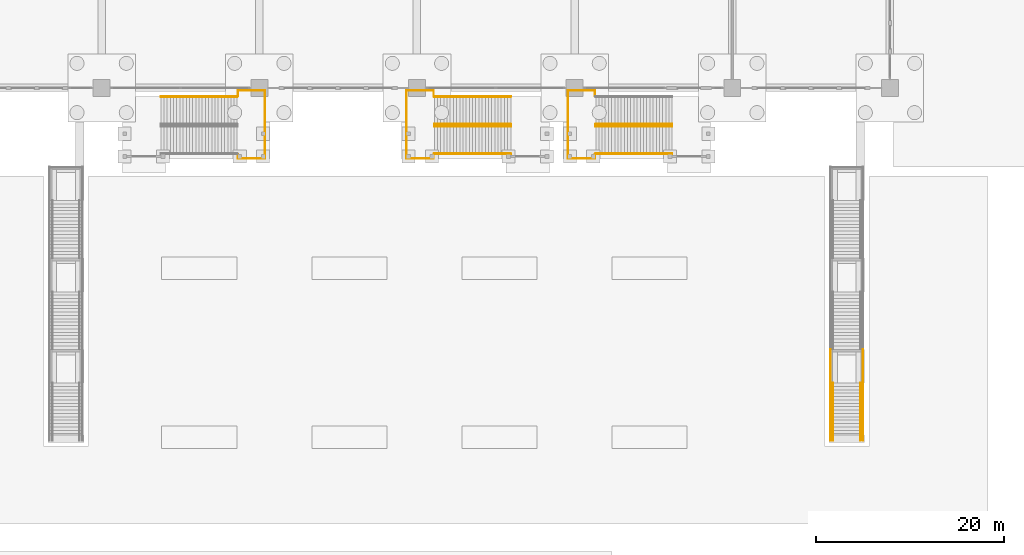
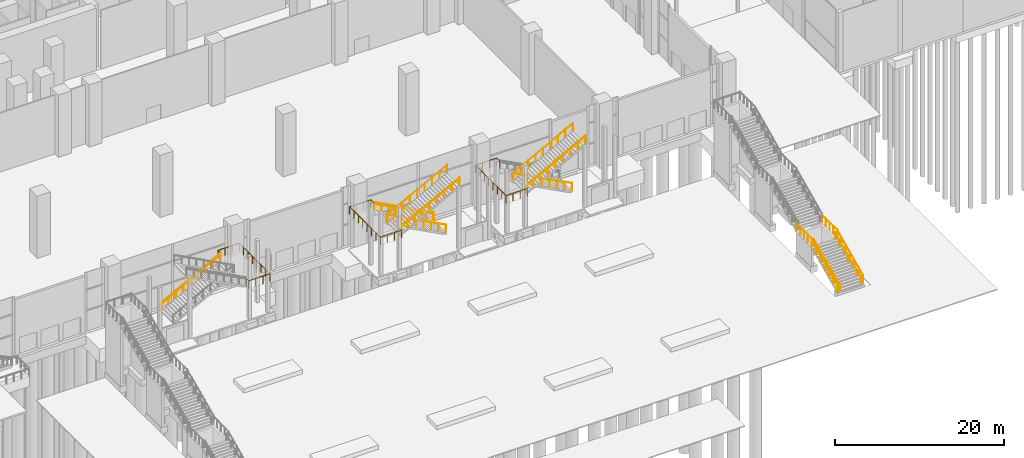
# One storey, part 57 of 72: 21 railings.
"""IFC4 building model written with IfcOpenShell, lengths in metres."""

from ifc_helpers import new_model, si_unit, direction, frame, origin, origin_2d, place, context, subcontext, project, spatial, circle, extrude, material, type_object, element, save


model = new_model("IFC4")

# Units and contexts
model_context = context("Model", 3, precision=1e-05, world=origin(), true_north=direction((0.0, 1.0)))
body_context = subcontext(model_context, "Body", "Model", "MODEL_VIEW")
ifc_project = project(units=[si_unit("LENGTHUNIT", "METRE"), si_unit("AREAUNIT", "SQUARE_METRE"), si_unit("VOLUMEUNIT", "CUBIC_METRE"), si_unit("PLANEANGLEUNIT", "RADIAN"), si_unit("MASSUNIT", "GRAM", prefix="KILO")], contexts=[model_context])

# Site, building, storey
site_placement = place(None, origin())
site = spatial("IfcSite", under=ifc_project, at=site_placement, CompositionType="ELEMENT")
building_placement = place(site_placement, origin())
building = spatial("IfcBuilding", under=site, at=building_placement, Name="Candeia Pilgrim Tower and Theatre", CompositionType="ELEMENT")
storey_placement = place(building_placement, origin())
storey = spatial("IfcBuildingStorey", under=building, at=storey_placement, Name="L00", CompositionType="ELEMENT", Elevation=0.0)

# Railings
ifc_material_1 = material(Name="Steel S355", Category="steel")
railing_type_1 = type_object("IfcRailingType", Name="Guard 1100 steel balustrade", PredefinedType="GUARDRAIL", material=ifc_material_1)
for number, where, name in (
    (1, (153.25, 26.840087890625, 0.166748046875), "Garden stair E guard 1"),
    (2, (156.75, 26.840087890625, 0.166748046875), "Garden stair E guard 2"),
):
    element("IfcRailing", number, at=place(storey_placement, frame(where)), inside=storey, type_object=railing_type_1, Name=name, PredefinedType="GUARDRAIL", context=body_context, shape_type="SweptSolid", body=[
        extrude(circle(Radius=0.02392578125, at=origin_2d()), frame((0.0, 0.0, 1.076171875), z_axis=(0.0, 0.907468185063, 0.420120807742), x_axis=(-1.0, 0.0, 0.0)), (0.0, 0.0, 1.0), 6.743896484375),
        extrude(circle(Radius=0.02099609375, at=origin_2d()), origin(), (0.0, 0.0, 1.0), 1.052001953125),
        extrude(circle(Radius=0.02099609375, at=origin_2d()), frame((0.0, 1.02001953125, 0.47216796875)), (0.0, 0.0, 1.0), 1.052001953125),
        extrude(circle(Radius=0.02099609375, at=origin_2d()), frame((0.0, 2.0400390625, 0.9443359375)), (0.0, 0.0, 1.0), 1.052001953125),
        extrude(circle(Radius=0.02099609375, at=origin_2d()), frame((0.0, 3.06005859375, 1.41650390625)), (0.0, 0.0, 1.0), 1.052001953125),
        extrude(circle(Radius=0.02099609375, at=origin_2d()), frame((0.0, 4.079833984375, 1.888916015625)), (0.0, 0.0, 1.0), 1.052001953125),
        extrude(circle(Radius=0.02099609375, at=origin_2d()), frame((0.0, 5.099853515625, 2.361083984375)), (0.0, 0.0, 1.0), 1.052001953125),
        extrude(circle(Radius=0.02099609375, at=origin_2d()), frame((0.0, 6.119873046875, 2.833251953125)), (0.0, 0.0, 1.0), 1.052001953125),
    ])
for number, where, name in (
    (3, (153.25, 32.9599609375, 3.0), "Garden stair E guard 3"),
    (4, (156.75, 32.9599609375, 3.0), "Garden stair E guard 4"),
):
    element("IfcRailing", number, at=place(storey_placement, frame(where)), inside=storey, type_object=railing_type_1, Name=name, PredefinedType="GUARDRAIL", context=body_context, shape_type="SweptSolid", body=[
        extrude(circle(Radius=0.02392578125, at=origin_2d()), frame((0.0, 0.0, 1.076171875), z_axis=(0.0, 1.0, 0.0), x_axis=(-1.0, 0.0, 0.0)), (0.0, 0.0, 1.0), 3.60009765625),
        extrude(circle(Radius=0.02099609375, at=origin_2d()), origin(), (0.0, 0.0, 1.0), 1.052001953125),
        extrude(circle(Radius=0.02099609375, at=origin_2d()), frame((0.0, 0.89990234375, 0.0)), (0.0, 0.0, 1.0), 1.052001953125),
        extrude(circle(Radius=0.02099609375, at=origin_2d()), frame((0.0, 1.800048828125, 0.0)), (0.0, 0.0, 1.0), 1.052001953125),
        extrude(circle(Radius=0.02099609375, at=origin_2d()), frame((0.0, 2.7001953125, 0.0)), (0.0, 0.0, 1.0), 1.052001953125),
        extrude(circle(Radius=0.02099609375, at=origin_2d()), frame((0.0, 3.60009765625, 0.0)), (0.0, 0.0, 1.0), 1.052001953125),
    ])
railing_type_2 = type_object("IfcRailingType", Name="Handrail 900 steel", PredefinedType="HANDRAIL", material=ifc_material_1)
for number, where, name in (
    (5, (153.550048828125, 26.840087890625, 0.166748046875), "Garden stair E handrail 1"),
    (6, (156.449951171875, 26.840087890625, 0.166748046875), "Garden stair E handrail 2"),
):
    element("IfcRailing", number, at=place(storey_placement, frame(where)), inside=storey, type_object=railing_type_2, Name=name, PredefinedType="HANDRAIL", context=body_context, shape_type="SweptSolid", body=[
        extrude(circle(Radius=0.02392578125, at=origin_2d()), frame((0.0, 0.0, 0.8759765625), z_axis=(0.0, 0.907468185063, 0.420120807742), x_axis=(-1.0, 0.0, 0.0)), (0.0, 0.0, 1.0), 6.743896484375),
        extrude(circle(Radius=0.02099609375, at=origin_2d()), origin(), (0.0, 0.0, 1.0), 0.851806640625),
        extrude(circle(Radius=0.02099609375, at=origin_2d()), frame((0.0, 1.02001953125, 0.47216796875)), (0.0, 0.0, 1.0), 0.851806640625),
        extrude(circle(Radius=0.02099609375, at=origin_2d()), frame((0.0, 2.0400390625, 0.9443359375)), (0.0, 0.0, 1.0), 0.851806640625),
        extrude(circle(Radius=0.02099609375, at=origin_2d()), frame((0.0, 3.06005859375, 1.41650390625)), (0.0, 0.0, 1.0), 0.851806640625),
        extrude(circle(Radius=0.02099609375, at=origin_2d()), frame((0.0, 4.079833984375, 1.888916015625)), (0.0, 0.0, 1.0), 0.851806640625),
        extrude(circle(Radius=0.02099609375, at=origin_2d()), frame((0.0, 5.099853515625, 2.361083984375)), (0.0, 0.0, 1.0), 0.851806640625),
        extrude(circle(Radius=0.02099609375, at=origin_2d()), frame((0.0, 6.119873046875, 2.833251953125)), (0.0, 0.0, 1.0), 0.851806640625),
    ])
ifc_material_2 = material(Name="Stainless steel balustrade", Category="steel")
railing_type_3 = type_object("IfcRailingType", Name="RL-GUARD-1100", PredefinedType="GUARDRAIL", material=ifc_material_2)
railing_1_placement = place(storey_placement, frame((81.89990234375, 63.5, 0.179931640625)))
element("IfcRailing", 7, at=railing_1_placement, inside=storey, type_object=railing_type_3, Name="L00 ES8 stair guard 3", PredefinedType="GUARDRAIL", context=body_context, shape_type="SweptSolid", body=[
    extrude(circle(Radius=0.02392578125, at=origin_2d()), frame((0.0, 0.0, 1.076171875), z_axis=(0.883788559524, 0.0, 0.467886505528), x_axis=(0.0, 1.0, 0.0)), (0.0, 0.0, 1.0), 9.233154296875),
    extrude(circle(Radius=0.02099609375, at=origin_2d()), origin(), (0.0, 0.0, 1.0), 1.052001953125),
    extrude(circle(Radius=0.02099609375, at=origin_2d()), frame((1.02001953125, 0.0, 0.5400390625)), (0.0, 0.0, 1.0), 1.052001953125),
    extrude(circle(Radius=0.02099609375, at=origin_2d()), frame((2.0400390625, 0.0, 1.080078125)), (0.0, 0.0, 1.0), 1.052001953125),
    extrude(circle(Radius=0.02099609375, at=origin_2d()), frame((3.06005859375, 0.0, 1.6201171875)), (0.0, 0.0, 1.0), 1.052001953125),
    extrude(circle(Radius=0.02099609375, at=origin_2d()), frame((4.080078125, 0.0, 2.16015625)), (0.0, 0.0, 1.0), 1.052001953125),
    extrude(circle(Radius=0.02099609375, at=origin_2d()), frame((5.10009765625, 0.0, 2.699951171875)), (0.0, 0.0, 1.0), 1.052001953125),
    extrude(circle(Radius=0.02099609375, at=origin_2d()), frame((6.1201171875, 0.0, 3.239990234375)), (0.0, 0.0, 1.0), 1.052001953125),
    extrude(circle(Radius=0.02099609375, at=origin_2d()), frame((7.14013671875, 0.0, 3.780029296875)), (0.0, 0.0, 1.0), 1.052001953125),
    extrude(circle(Radius=0.02099609375, at=origin_2d()), frame((8.16015625, 0.0, 4.320068359375)), (0.0, 0.0, 1.0), 1.052001953125),
])
railing_2_placement = place(storey_placement, frame((90.110107421875, 63.5, 4.5)))
element("IfcRailing", 8, at=railing_2_placement, inside=storey, type_object=railing_type_3, Name="L00 ES8 stair guard 5", PredefinedType="GUARDRAIL", context=body_context, shape_type="SweptSolid", body=[
    extrude(circle(Radius=0.02392578125, at=origin_2d()), frame((0.0, 0.0, 1.076171875), z_axis=(0.0, 1.0, 0.0), x_axis=(-1.0, 0.0, 0.0)), (0.0, 0.0, 1.0), 0.64990234375),
    extrude(circle(Radius=0.02392578125, at=origin_2d()), frame((0.0, 0.64990234375, 1.076171875), z_axis=(1.0, 0.0, 0.0), x_axis=(0.0, 1.0, 0.0)), (0.0, 0.0, 1.0), 2.89990234375),
    extrude(circle(Radius=0.02392578125, at=origin_2d()), frame((2.89990234375, 0.64990234375, 1.076171875), z_axis=(0.0, -1.0, 0.0), x_axis=(1.0, 0.0, 0.0)), (0.0, 0.0, 1.0), 7.25),
    extrude(circle(Radius=0.02392578125, at=origin_2d()), frame((2.89990234375, -6.60009765625, 1.076171875), z_axis=(-1.0, 0.0, 0.0), x_axis=(0.0, -1.0, 0.0)), (0.0, 0.0, 1.0), 2.89990234375),
    extrude(circle(Radius=0.02392578125, at=origin_2d()), frame((0.0, -6.60009765625, 1.076171875), z_axis=(0.0, 1.0, 0.0), x_axis=(-1.0, 0.0, 0.0)), (0.0, 0.0, 1.0), 0.4501953125),
    extrude(circle(Radius=0.02099609375, at=origin_2d()), origin(), (0.0, 0.0, 1.0), 1.052001953125),
    extrude(circle(Radius=0.02099609375, at=origin_2d()), frame((0.0, 0.64990234375, 0.0)), (0.0, 0.0, 1.0), 1.052001953125),
    extrude(circle(Radius=0.02099609375, at=origin_2d()), frame((0.966552734375, 0.64990234375, 0.0)), (0.0, 0.0, 1.0), 1.052001953125),
    extrude(circle(Radius=0.02099609375, at=origin_2d()), frame((1.933349609375, 0.64990234375, 0.0)), (0.0, 0.0, 1.0), 1.052001953125),
    extrude(circle(Radius=0.02099609375, at=origin_2d()), frame((2.89990234375, 0.64990234375, 0.0)), (0.0, 0.0, 1.0), 1.052001953125),
    extrude(circle(Radius=0.02099609375, at=origin_2d()), frame((2.89990234375, -0.3857421875, 0.0)), (0.0, 0.0, 1.0), 1.052001953125),
    extrude(circle(Radius=0.02099609375, at=origin_2d()), frame((2.89990234375, -1.421630859375, 0.0)), (0.0, 0.0, 1.0), 1.052001953125),
    extrude(circle(Radius=0.02099609375, at=origin_2d()), frame((2.89990234375, -2.457275390625, 0.0)), (0.0, 0.0, 1.0), 1.052001953125),
    extrude(circle(Radius=0.02099609375, at=origin_2d()), frame((2.89990234375, -3.492919921875, 0.0)), (0.0, 0.0, 1.0), 1.052001953125),
    extrude(circle(Radius=0.02099609375, at=origin_2d()), frame((2.89990234375, -4.528564453125, 0.0)), (0.0, 0.0, 1.0), 1.052001953125),
    extrude(circle(Radius=0.02099609375, at=origin_2d()), frame((2.89990234375, -5.564453125, 0.0)), (0.0, 0.0, 1.0), 1.052001953125),
    extrude(circle(Radius=0.02099609375, at=origin_2d()), frame((2.89990234375, -6.60009765625, 0.0)), (0.0, 0.0, 1.0), 1.052001953125),
    extrude(circle(Radius=0.02099609375, at=origin_2d()), frame((1.933349609375, -6.60009765625, 0.0)), (0.0, 0.0, 1.0), 1.052001953125),
    extrude(circle(Radius=0.02099609375, at=origin_2d()), frame((0.966552734375, -6.60009765625, 0.0)), (0.0, 0.0, 1.0), 1.052001953125),
    extrude(circle(Radius=0.02099609375, at=origin_2d()), frame((0.0, -6.60009765625, 0.0)), (0.0, 0.0, 1.0), 1.052001953125),
    extrude(circle(Radius=0.02099609375, at=origin_2d()), frame((0.0, -6.14990234375, 0.0)), (0.0, 0.0, 1.0), 1.052001953125),
])
railing_3_placement = place(storey_placement, frame((119.199951171875, 60.550048828125, 0.179931640625)))
element("IfcRailing", 9, at=railing_3_placement, inside=storey, type_object=railing_type_3, Name="L00 ES9 stair guard 1", PredefinedType="GUARDRAIL", context=body_context, shape_type="SweptSolid", body=[
    extrude(circle(Radius=0.02392578125, at=origin_2d()), frame((0.0, 0.0, 1.076171875), z_axis=(-0.883782770755, 0.0, 0.467897439742), x_axis=(0.0, -1.0, 0.0)), (0.0, 0.0, 1.0), 9.23291015625),
    extrude(circle(Radius=0.02099609375, at=origin_2d()), origin(), (0.0, 0.0, 1.0), 1.052001953125),
    extrude(circle(Radius=0.02099609375, at=origin_2d()), frame((-1.02001953125, 0.0, 0.5400390625)), (0.0, 0.0, 1.0), 1.052001953125),
    extrude(circle(Radius=0.02099609375, at=origin_2d()), frame((-2.0400390625, 0.0, 1.080078125)), (0.0, 0.0, 1.0), 1.052001953125),
    extrude(circle(Radius=0.02099609375, at=origin_2d()), frame((-3.06005859375, 0.0, 1.6201171875)), (0.0, 0.0, 1.0), 1.052001953125),
    extrude(circle(Radius=0.02099609375, at=origin_2d()), frame((-4.080078125, 0.0, 2.16015625)), (0.0, 0.0, 1.0), 1.052001953125),
    extrude(circle(Radius=0.02099609375, at=origin_2d()), frame((-5.099853515625, 0.0, 2.699951171875)), (0.0, 0.0, 1.0), 1.052001953125),
    extrude(circle(Radius=0.02099609375, at=origin_2d()), frame((-6.119873046875, 0.0, 3.239990234375)), (0.0, 0.0, 1.0), 1.052001953125),
    extrude(circle(Radius=0.02099609375, at=origin_2d()), frame((-7.139892578125, 0.0, 3.780029296875)), (0.0, 0.0, 1.0), 1.052001953125),
    extrude(circle(Radius=0.02099609375, at=origin_2d()), frame((-8.159912109375, 0.0, 4.320068359375)), (0.0, 0.0, 1.0), 1.052001953125),
])
railing_4_placement = place(storey_placement, frame((111.0400390625, 60.300048828125, 4.679931640625)))
element("IfcRailing", 10, at=railing_4_placement, inside=storey, type_object=railing_type_3, Name="L00 ES9 stair guard 2", PredefinedType="GUARDRAIL", context=body_context, shape_type="SweptSolid", body=[
    extrude(circle(Radius=0.02392578125, at=origin_2d()), frame((0.0, 0.0, 1.076171875), z_axis=(0.883782770755, 0.0, 0.467897439742), x_axis=(0.0, 1.0, 0.0)), (0.0, 0.0, 1.0), 9.23291015625),
    extrude(circle(Radius=0.02099609375, at=origin_2d()), origin(), (0.0, 0.0, 1.0), 1.052001953125),
    extrude(circle(Radius=0.02099609375, at=origin_2d()), frame((1.02001953125, 0.0, 0.5400390625)), (0.0, 0.0, 1.0), 1.052001953125),
    extrude(circle(Radius=0.02099609375, at=origin_2d()), frame((2.0400390625, 0.0, 1.080078125)), (0.0, 0.0, 1.0), 1.052001953125),
    extrude(circle(Radius=0.02099609375, at=origin_2d()), frame((3.06005859375, 0.0, 1.6201171875)), (0.0, 0.0, 1.0), 1.052001953125),
    extrude(circle(Radius=0.02099609375, at=origin_2d()), frame((4.080078125, 0.0, 2.16015625)), (0.0, 0.0, 1.0), 1.052001953125),
    extrude(circle(Radius=0.02099609375, at=origin_2d()), frame((5.099853515625, 0.0, 2.699951171875)), (0.0, 0.0, 1.0), 1.052001953125),
    extrude(circle(Radius=0.02099609375, at=origin_2d()), frame((6.119873046875, 0.0, 3.239990234375)), (0.0, 0.0, 1.0), 1.052001953125),
    extrude(circle(Radius=0.02099609375, at=origin_2d()), frame((7.139892578125, 0.0, 3.780029296875)), (0.0, 0.0, 1.0), 1.052001953125),
    extrude(circle(Radius=0.02099609375, at=origin_2d()), frame((8.159912109375, 0.0, 4.320068359375)), (0.0, 0.0, 1.0), 1.052001953125),
])
railing_5_placement = place(storey_placement, frame((119.199951171875, 63.5, 0.179931640625)))
element("IfcRailing", 11, at=railing_5_placement, inside=storey, type_object=railing_type_3, Name="L00 ES9 stair guard 3", PredefinedType="GUARDRAIL", context=body_context, shape_type="SweptSolid", body=[
    extrude(circle(Radius=0.02392578125, at=origin_2d()), frame((0.0, 0.0, 1.076171875), z_axis=(-0.883782770755, 0.0, 0.467897439742), x_axis=(0.0, -1.0, 0.0)), (0.0, 0.0, 1.0), 9.23291015625),
    extrude(circle(Radius=0.02099609375, at=origin_2d()), origin(), (0.0, 0.0, 1.0), 1.052001953125),
    extrude(circle(Radius=0.02099609375, at=origin_2d()), frame((-1.02001953125, 0.0, 0.5400390625)), (0.0, 0.0, 1.0), 1.052001953125),
    extrude(circle(Radius=0.02099609375, at=origin_2d()), frame((-2.0400390625, 0.0, 1.080078125)), (0.0, 0.0, 1.0), 1.052001953125),
    extrude(circle(Radius=0.02099609375, at=origin_2d()), frame((-3.06005859375, 0.0, 1.6201171875)), (0.0, 0.0, 1.0), 1.052001953125),
    extrude(circle(Radius=0.02099609375, at=origin_2d()), frame((-4.080078125, 0.0, 2.16015625)), (0.0, 0.0, 1.0), 1.052001953125),
    extrude(circle(Radius=0.02099609375, at=origin_2d()), frame((-5.099853515625, 0.0, 2.699951171875)), (0.0, 0.0, 1.0), 1.052001953125),
    extrude(circle(Radius=0.02099609375, at=origin_2d()), frame((-6.119873046875, 0.0, 3.239990234375)), (0.0, 0.0, 1.0), 1.052001953125),
    extrude(circle(Radius=0.02099609375, at=origin_2d()), frame((-7.139892578125, 0.0, 3.780029296875)), (0.0, 0.0, 1.0), 1.052001953125),
    extrude(circle(Radius=0.02099609375, at=origin_2d()), frame((-8.159912109375, 0.0, 4.320068359375)), (0.0, 0.0, 1.0), 1.052001953125),
])
railing_6_placement = place(storey_placement, frame((111.0400390625, 57.35009765625, 4.679931640625)))
element("IfcRailing", 12, at=railing_6_placement, inside=storey, type_object=railing_type_3, Name="L00 ES9 stair guard 4", PredefinedType="GUARDRAIL", context=body_context, shape_type="SweptSolid", body=[
    extrude(circle(Radius=0.02392578125, at=origin_2d()), frame((0.0, 0.0, 1.076171875), z_axis=(0.883782770755, 0.0, 0.467897439742), x_axis=(0.0, 1.0, 0.0)), (0.0, 0.0, 1.0), 9.23291015625),
    extrude(circle(Radius=0.02099609375, at=origin_2d()), origin(), (0.0, 0.0, 1.0), 1.052001953125),
    extrude(circle(Radius=0.02099609375, at=origin_2d()), frame((1.02001953125, 0.0, 0.5400390625)), (0.0, 0.0, 1.0), 1.052001953125),
    extrude(circle(Radius=0.02099609375, at=origin_2d()), frame((2.0400390625, 0.0, 1.080078125)), (0.0, 0.0, 1.0), 1.052001953125),
    extrude(circle(Radius=0.02099609375, at=origin_2d()), frame((3.06005859375, 0.0, 1.6201171875)), (0.0, 0.0, 1.0), 1.052001953125),
    extrude(circle(Radius=0.02099609375, at=origin_2d()), frame((4.080078125, 0.0, 2.16015625)), (0.0, 0.0, 1.0), 1.052001953125),
    extrude(circle(Radius=0.02099609375, at=origin_2d()), frame((5.099853515625, 0.0, 2.699951171875)), (0.0, 0.0, 1.0), 1.052001953125),
    extrude(circle(Radius=0.02099609375, at=origin_2d()), frame((6.119873046875, 0.0, 3.239990234375)), (0.0, 0.0, 1.0), 1.052001953125),
    extrude(circle(Radius=0.02099609375, at=origin_2d()), frame((7.139892578125, 0.0, 3.780029296875)), (0.0, 0.0, 1.0), 1.052001953125),
    extrude(circle(Radius=0.02099609375, at=origin_2d()), frame((8.159912109375, 0.0, 4.320068359375)), (0.0, 0.0, 1.0), 1.052001953125),
])
railing_7_placement = place(storey_placement, frame((110.989990234375, 63.5, 4.5)))
element("IfcRailing", 13, at=railing_7_placement, inside=storey, type_object=railing_type_3, Name="L00 ES9 stair guard 5", PredefinedType="GUARDRAIL", context=body_context, shape_type="SweptSolid", body=[
    extrude(circle(Radius=0.02392578125, at=origin_2d()), frame((0.0, 0.0, 1.076171875), z_axis=(0.0, 1.0, 0.0), x_axis=(-1.0, 0.0, 0.0)), (0.0, 0.0, 1.0), 0.64990234375),
    extrude(circle(Radius=0.02392578125, at=origin_2d()), frame((0.0, 0.64990234375, 1.076171875), z_axis=(-1.0, 0.0, 0.0), x_axis=(0.0, -1.0, 0.0)), (0.0, 0.0, 1.0), 2.89990234375),
    extrude(circle(Radius=0.02392578125, at=origin_2d()), frame((-2.89990234375, 0.64990234375, 1.076171875), z_axis=(0.0, -1.0, 0.0), x_axis=(1.0, 0.0, 0.0)), (0.0, 0.0, 1.0), 7.25),
    extrude(circle(Radius=0.02392578125, at=origin_2d()), frame((-2.89990234375, -6.60009765625, 1.076171875), z_axis=(1.0, 0.0, 0.0), x_axis=(0.0, 1.0, 0.0)), (0.0, 0.0, 1.0), 2.89990234375),
    extrude(circle(Radius=0.02392578125, at=origin_2d()), frame((0.0, -6.60009765625, 1.076171875), z_axis=(0.0, 1.0, 0.0), x_axis=(-1.0, 0.0, 0.0)), (0.0, 0.0, 1.0), 0.4501953125),
    extrude(circle(Radius=0.02099609375, at=origin_2d()), origin(), (0.0, 0.0, 1.0), 1.052001953125),
    extrude(circle(Radius=0.02099609375, at=origin_2d()), frame((0.0, 0.64990234375, 0.0)), (0.0, 0.0, 1.0), 1.052001953125),
    extrude(circle(Radius=0.02099609375, at=origin_2d()), frame((-0.966552734375, 0.64990234375, 0.0)), (0.0, 0.0, 1.0), 1.052001953125),
    extrude(circle(Radius=0.02099609375, at=origin_2d()), frame((-1.933349609375, 0.64990234375, 0.0)), (0.0, 0.0, 1.0), 1.052001953125),
    extrude(circle(Radius=0.02099609375, at=origin_2d()), frame((-2.89990234375, 0.64990234375, 0.0)), (0.0, 0.0, 1.0), 1.052001953125),
    extrude(circle(Radius=0.02099609375, at=origin_2d()), frame((-2.89990234375, -0.3857421875, 0.0)), (0.0, 0.0, 1.0), 1.052001953125),
    extrude(circle(Radius=0.02099609375, at=origin_2d()), frame((-2.89990234375, -1.421630859375, 0.0)), (0.0, 0.0, 1.0), 1.052001953125),
    extrude(circle(Radius=0.02099609375, at=origin_2d()), frame((-2.89990234375, -2.457275390625, 0.0)), (0.0, 0.0, 1.0), 1.052001953125),
    extrude(circle(Radius=0.02099609375, at=origin_2d()), frame((-2.89990234375, -3.492919921875, 0.0)), (0.0, 0.0, 1.0), 1.052001953125),
    extrude(circle(Radius=0.02099609375, at=origin_2d()), frame((-2.89990234375, -4.528564453125, 0.0)), (0.0, 0.0, 1.0), 1.052001953125),
    extrude(circle(Radius=0.02099609375, at=origin_2d()), frame((-2.89990234375, -5.564453125, 0.0)), (0.0, 0.0, 1.0), 1.052001953125),
    extrude(circle(Radius=0.02099609375, at=origin_2d()), frame((-2.89990234375, -6.60009765625, 0.0)), (0.0, 0.0, 1.0), 1.052001953125),
    extrude(circle(Radius=0.02099609375, at=origin_2d()), frame((-1.933349609375, -6.60009765625, 0.0)), (0.0, 0.0, 1.0), 1.052001953125),
    extrude(circle(Radius=0.02099609375, at=origin_2d()), frame((-0.966552734375, -6.60009765625, 0.0)), (0.0, 0.0, 1.0), 1.052001953125),
    extrude(circle(Radius=0.02099609375, at=origin_2d()), frame((0.0, -6.60009765625, 0.0)), (0.0, 0.0, 1.0), 1.052001953125),
    extrude(circle(Radius=0.02099609375, at=origin_2d()), frame((0.0, -6.14990234375, 0.0)), (0.0, 0.0, 1.0), 1.052001953125),
])
railing_8_placement = place(storey_placement, frame((136.39990234375, 60.550048828125, 0.179931640625)))
element("IfcRailing", 14, at=railing_8_placement, inside=storey, type_object=railing_type_3, Name="L00 ES16 stair guard 1", PredefinedType="GUARDRAIL", context=body_context, shape_type="SweptSolid", body=[
    extrude(circle(Radius=0.02392578125, at=origin_2d()), frame((0.0, 0.0, 1.076171875), z_axis=(-0.883782770755, 0.0, 0.467897439742), x_axis=(0.0, -1.0, 0.0)), (0.0, 0.0, 1.0), 9.23291015625),
    extrude(circle(Radius=0.02099609375, at=origin_2d()), origin(), (0.0, 0.0, 1.0), 1.052001953125),
    extrude(circle(Radius=0.02099609375, at=origin_2d()), frame((-1.02001953125, 0.0, 0.5400390625)), (0.0, 0.0, 1.0), 1.052001953125),
    extrude(circle(Radius=0.02099609375, at=origin_2d()), frame((-2.0400390625, 0.0, 1.080078125)), (0.0, 0.0, 1.0), 1.052001953125),
    extrude(circle(Radius=0.02099609375, at=origin_2d()), frame((-3.06005859375, 0.0, 1.6201171875)), (0.0, 0.0, 1.0), 1.052001953125),
    extrude(circle(Radius=0.02099609375, at=origin_2d()), frame((-4.080078125, 0.0, 2.16015625)), (0.0, 0.0, 1.0), 1.052001953125),
    extrude(circle(Radius=0.02099609375, at=origin_2d()), frame((-5.099853515625, 0.0, 2.699951171875)), (0.0, 0.0, 1.0), 1.052001953125),
    extrude(circle(Radius=0.02099609375, at=origin_2d()), frame((-6.119873046875, 0.0, 3.239990234375)), (0.0, 0.0, 1.0), 1.052001953125),
    extrude(circle(Radius=0.02099609375, at=origin_2d()), frame((-7.139892578125, 0.0, 3.780029296875)), (0.0, 0.0, 1.0), 1.052001953125),
    extrude(circle(Radius=0.02099609375, at=origin_2d()), frame((-8.159912109375, 0.0, 4.320068359375)), (0.0, 0.0, 1.0), 1.052001953125),
])
for number, where, name in (
    (15, (128.239990234375, 60.300048828125, 4.679931640625), "L00 ES16 stair guard 2"),
    (16, (128.239990234375, 57.35009765625, 4.679931640625), "L00 ES16 stair guard 4"),
):
    element("IfcRailing", number, at=place(storey_placement, frame(where)), inside=storey, type_object=railing_type_3, Name=name, PredefinedType="GUARDRAIL", context=body_context, shape_type="SweptSolid", body=[
        extrude(circle(Radius=0.02392578125, at=origin_2d()), frame((0.0, 0.0, 1.076171875), z_axis=(0.883782770755, 0.0, 0.467897439742), x_axis=(0.0, 1.0, 0.0)), (0.0, 0.0, 1.0), 9.23291015625),
        extrude(circle(Radius=0.02099609375, at=origin_2d()), origin(), (0.0, 0.0, 1.0), 1.052001953125),
        extrude(circle(Radius=0.02099609375, at=origin_2d()), frame((1.02001953125, 0.0, 0.5400390625)), (0.0, 0.0, 1.0), 1.052001953125),
        extrude(circle(Radius=0.02099609375, at=origin_2d()), frame((2.0400390625, 0.0, 1.080078125)), (0.0, 0.0, 1.0), 1.052001953125),
        extrude(circle(Radius=0.02099609375, at=origin_2d()), frame((3.06005859375, 0.0, 1.6201171875)), (0.0, 0.0, 1.0), 1.052001953125),
        extrude(circle(Radius=0.02099609375, at=origin_2d()), frame((4.080078125, 0.0, 2.16015625)), (0.0, 0.0, 1.0), 1.052001953125),
        extrude(circle(Radius=0.02099609375, at=origin_2d()), frame((5.099853515625, 0.0, 2.699951171875)), (0.0, 0.0, 1.0), 1.052001953125),
        extrude(circle(Radius=0.02099609375, at=origin_2d()), frame((6.119873046875, 0.0, 3.239990234375)), (0.0, 0.0, 1.0), 1.052001953125),
        extrude(circle(Radius=0.02099609375, at=origin_2d()), frame((7.139892578125, 0.0, 3.780029296875)), (0.0, 0.0, 1.0), 1.052001953125),
        extrude(circle(Radius=0.02099609375, at=origin_2d()), frame((8.159912109375, 0.0, 4.320068359375)), (0.0, 0.0, 1.0), 1.052001953125),
    ])
railing_9_placement = place(storey_placement, frame((128.18994140625, 63.5, 4.5)))
element("IfcRailing", 17, at=railing_9_placement, inside=storey, type_object=railing_type_3, Name="L00 ES16 stair guard 5", PredefinedType="GUARDRAIL", context=body_context, shape_type="SweptSolid", body=[
    extrude(circle(Radius=0.02392578125, at=origin_2d()), frame((0.0, 0.0, 1.076171875), z_axis=(0.0, 1.0, 0.0), x_axis=(-1.0, 0.0, 0.0)), (0.0, 0.0, 1.0), 0.64990234375),
    extrude(circle(Radius=0.02392578125, at=origin_2d()), frame((0.0, 0.64990234375, 1.076171875), z_axis=(-1.0, 0.0, 0.0), x_axis=(0.0, -1.0, 0.0)), (0.0, 0.0, 1.0), 2.89990234375),
    extrude(circle(Radius=0.02392578125, at=origin_2d()), frame((-2.89990234375, 0.64990234375, 1.076171875), z_axis=(0.0, -1.0, 0.0), x_axis=(1.0, 0.0, 0.0)), (0.0, 0.0, 1.0), 7.25),
    extrude(circle(Radius=0.02392578125, at=origin_2d()), frame((-2.89990234375, -6.60009765625, 1.076171875), z_axis=(1.0, 0.0, 0.0), x_axis=(0.0, 1.0, 0.0)), (0.0, 0.0, 1.0), 2.89990234375),
    extrude(circle(Radius=0.02392578125, at=origin_2d()), frame((0.0, -6.60009765625, 1.076171875), z_axis=(0.0, 1.0, 0.0), x_axis=(-1.0, 0.0, 0.0)), (0.0, 0.0, 1.0), 0.4501953125),
    extrude(circle(Radius=0.02099609375, at=origin_2d()), origin(), (0.0, 0.0, 1.0), 1.052001953125),
    extrude(circle(Radius=0.02099609375, at=origin_2d()), frame((0.0, 0.64990234375, 0.0)), (0.0, 0.0, 1.0), 1.052001953125),
    extrude(circle(Radius=0.02099609375, at=origin_2d()), frame((-0.966552734375, 0.64990234375, 0.0)), (0.0, 0.0, 1.0), 1.052001953125),
    extrude(circle(Radius=0.02099609375, at=origin_2d()), frame((-1.933349609375, 0.64990234375, 0.0)), (0.0, 0.0, 1.0), 1.052001953125),
    extrude(circle(Radius=0.02099609375, at=origin_2d()), frame((-2.89990234375, 0.64990234375, 0.0)), (0.0, 0.0, 1.0), 1.052001953125),
    extrude(circle(Radius=0.02099609375, at=origin_2d()), frame((-2.89990234375, -0.3857421875, 0.0)), (0.0, 0.0, 1.0), 1.052001953125),
    extrude(circle(Radius=0.02099609375, at=origin_2d()), frame((-2.89990234375, -1.421630859375, 0.0)), (0.0, 0.0, 1.0), 1.052001953125),
    extrude(circle(Radius=0.02099609375, at=origin_2d()), frame((-2.89990234375, -2.457275390625, 0.0)), (0.0, 0.0, 1.0), 1.052001953125),
    extrude(circle(Radius=0.02099609375, at=origin_2d()), frame((-2.89990234375, -3.492919921875, 0.0)), (0.0, 0.0, 1.0), 1.052001953125),
    extrude(circle(Radius=0.02099609375, at=origin_2d()), frame((-2.89990234375, -4.528564453125, 0.0)), (0.0, 0.0, 1.0), 1.052001953125),
    extrude(circle(Radius=0.02099609375, at=origin_2d()), frame((-2.89990234375, -5.564453125, 0.0)), (0.0, 0.0, 1.0), 1.052001953125),
    extrude(circle(Radius=0.02099609375, at=origin_2d()), frame((-2.89990234375, -6.60009765625, 0.0)), (0.0, 0.0, 1.0), 1.052001953125),
    extrude(circle(Radius=0.02099609375, at=origin_2d()), frame((-1.933349609375, -6.60009765625, 0.0)), (0.0, 0.0, 1.0), 1.052001953125),
    extrude(circle(Radius=0.02099609375, at=origin_2d()), frame((-0.966552734375, -6.60009765625, 0.0)), (0.0, 0.0, 1.0), 1.052001953125),
    extrude(circle(Radius=0.02099609375, at=origin_2d()), frame((0.0, -6.60009765625, 0.0)), (0.0, 0.0, 1.0), 1.052001953125),
    extrude(circle(Radius=0.02099609375, at=origin_2d()), frame((0.0, -6.14990234375, 0.0)), (0.0, 0.0, 1.0), 1.052001953125),
])
ifc_material_3 = material(Name="Stainless steel handrail", Category="steel")
railing_type_4 = type_object("IfcRailingType", Name="RL-HANDRAIL-900", PredefinedType="HANDRAIL", material=ifc_material_3)
railing_10_placement = place(storey_placement, frame((81.89990234375, 63.449951171875, 0.179931640625)))
element("IfcRailing", 18, at=railing_10_placement, inside=storey, type_object=railing_type_4, Name="L00 ES8 stair handrail 1", PredefinedType="HANDRAIL", context=body_context, shape_type="SweptSolid", body=[
    extrude(circle(Radius=0.02392578125, at=origin_2d()), frame((0.0, 0.0, 0.8759765625), z_axis=(0.883788559524, 0.0, 0.467886505528), x_axis=(0.0, 1.0, 0.0)), (0.0, 0.0, 1.0), 9.233154296875),
    extrude(circle(Radius=0.02099609375, at=origin_2d()), origin(), (0.0, 0.0, 1.0), 0.851806640625),
    extrude(circle(Radius=0.02099609375, at=origin_2d()), frame((1.02001953125, 0.0, 0.5400390625)), (0.0, 0.0, 1.0), 0.851806640625),
    extrude(circle(Radius=0.02099609375, at=origin_2d()), frame((2.0400390625, 0.0, 1.080078125)), (0.0, 0.0, 1.0), 0.851806640625),
    extrude(circle(Radius=0.02099609375, at=origin_2d()), frame((3.06005859375, 0.0, 1.6201171875)), (0.0, 0.0, 1.0), 0.851806640625),
    extrude(circle(Radius=0.02099609375, at=origin_2d()), frame((4.080078125, 0.0, 2.16015625)), (0.0, 0.0, 1.0), 0.851806640625),
    extrude(circle(Radius=0.02099609375, at=origin_2d()), frame((5.10009765625, 0.0, 2.699951171875)), (0.0, 0.0, 1.0), 0.851806640625),
    extrude(circle(Radius=0.02099609375, at=origin_2d()), frame((6.1201171875, 0.0, 3.239990234375)), (0.0, 0.0, 1.0), 0.851806640625),
    extrude(circle(Radius=0.02099609375, at=origin_2d()), frame((7.14013671875, 0.0, 3.780029296875)), (0.0, 0.0, 1.0), 0.851806640625),
    extrude(circle(Radius=0.02099609375, at=origin_2d()), frame((8.16015625, 0.0, 4.320068359375)), (0.0, 0.0, 1.0), 0.851806640625),
])
railing_11_placement = place(storey_placement, frame((119.199951171875, 63.449951171875, 0.179931640625)))
element("IfcRailing", 19, at=railing_11_placement, inside=storey, type_object=railing_type_4, Name="L00 ES9 stair handrail 1", PredefinedType="HANDRAIL", context=body_context, shape_type="SweptSolid", body=[
    extrude(circle(Radius=0.02392578125, at=origin_2d()), frame((0.0, 0.0, 0.8759765625), z_axis=(-0.883782770755, 0.0, 0.467897439742), x_axis=(0.0, -1.0, 0.0)), (0.0, 0.0, 1.0), 9.23291015625),
    extrude(circle(Radius=0.02099609375, at=origin_2d()), origin(), (0.0, 0.0, 1.0), 0.851806640625),
    extrude(circle(Radius=0.02099609375, at=origin_2d()), frame((-1.02001953125, 0.0, 0.5400390625)), (0.0, 0.0, 1.0), 0.851806640625),
    extrude(circle(Radius=0.02099609375, at=origin_2d()), frame((-2.0400390625, 0.0, 1.080078125)), (0.0, 0.0, 1.0), 0.851806640625),
    extrude(circle(Radius=0.02099609375, at=origin_2d()), frame((-3.06005859375, 0.0, 1.6201171875)), (0.0, 0.0, 1.0), 0.851806640625),
    extrude(circle(Radius=0.02099609375, at=origin_2d()), frame((-4.080078125, 0.0, 2.16015625)), (0.0, 0.0, 1.0), 0.851806640625),
    extrude(circle(Radius=0.02099609375, at=origin_2d()), frame((-5.099853515625, 0.0, 2.699951171875)), (0.0, 0.0, 1.0), 0.851806640625),
    extrude(circle(Radius=0.02099609375, at=origin_2d()), frame((-6.119873046875, 0.0, 3.239990234375)), (0.0, 0.0, 1.0), 0.851806640625),
    extrude(circle(Radius=0.02099609375, at=origin_2d()), frame((-7.139892578125, 0.0, 3.780029296875)), (0.0, 0.0, 1.0), 0.851806640625),
    extrude(circle(Radius=0.02099609375, at=origin_2d()), frame((-8.159912109375, 0.0, 4.320068359375)), (0.0, 0.0, 1.0), 0.851806640625),
])
for number, where, name in (
    (20, (111.0400390625, 57.39990234375, 4.679931640625), "L00 ES9 stair handrail 2"),
    (21, (128.239990234375, 57.39990234375, 4.679931640625), "L00 ES16 stair handrail 2"),
):
    element("IfcRailing", number, at=place(storey_placement, frame(where)), inside=storey, type_object=railing_type_4, Name=name, PredefinedType="HANDRAIL", context=body_context, shape_type="SweptSolid", body=[
        extrude(circle(Radius=0.02392578125, at=origin_2d()), frame((0.0, 0.0, 0.8759765625), z_axis=(0.883782770755, 0.0, 0.467897439742), x_axis=(0.0, 1.0, 0.0)), (0.0, 0.0, 1.0), 9.23291015625),
        extrude(circle(Radius=0.02099609375, at=origin_2d()), origin(), (0.0, 0.0, 1.0), 0.851806640625),
        extrude(circle(Radius=0.02099609375, at=origin_2d()), frame((1.02001953125, 0.0, 0.5400390625)), (0.0, 0.0, 1.0), 0.851806640625),
        extrude(circle(Radius=0.02099609375, at=origin_2d()), frame((2.0400390625, 0.0, 1.080078125)), (0.0, 0.0, 1.0), 0.851806640625),
        extrude(circle(Radius=0.02099609375, at=origin_2d()), frame((3.06005859375, 0.0, 1.6201171875)), (0.0, 0.0, 1.0), 0.851806640625),
        extrude(circle(Radius=0.02099609375, at=origin_2d()), frame((4.080078125, 0.0, 2.16015625)), (0.0, 0.0, 1.0), 0.851806640625),
        extrude(circle(Radius=0.02099609375, at=origin_2d()), frame((5.099853515625, 0.0, 2.699951171875)), (0.0, 0.0, 1.0), 0.851806640625),
        extrude(circle(Radius=0.02099609375, at=origin_2d()), frame((6.119873046875, 0.0, 3.239990234375)), (0.0, 0.0, 1.0), 0.851806640625),
        extrude(circle(Radius=0.02099609375, at=origin_2d()), frame((7.139892578125, 0.0, 3.780029296875)), (0.0, 0.0, 1.0), 0.851806640625),
        extrude(circle(Radius=0.02099609375, at=origin_2d()), frame((8.159912109375, 0.0, 4.320068359375)), (0.0, 0.0, 1.0), 0.851806640625),
    ])

save(model, "model.ifc")
